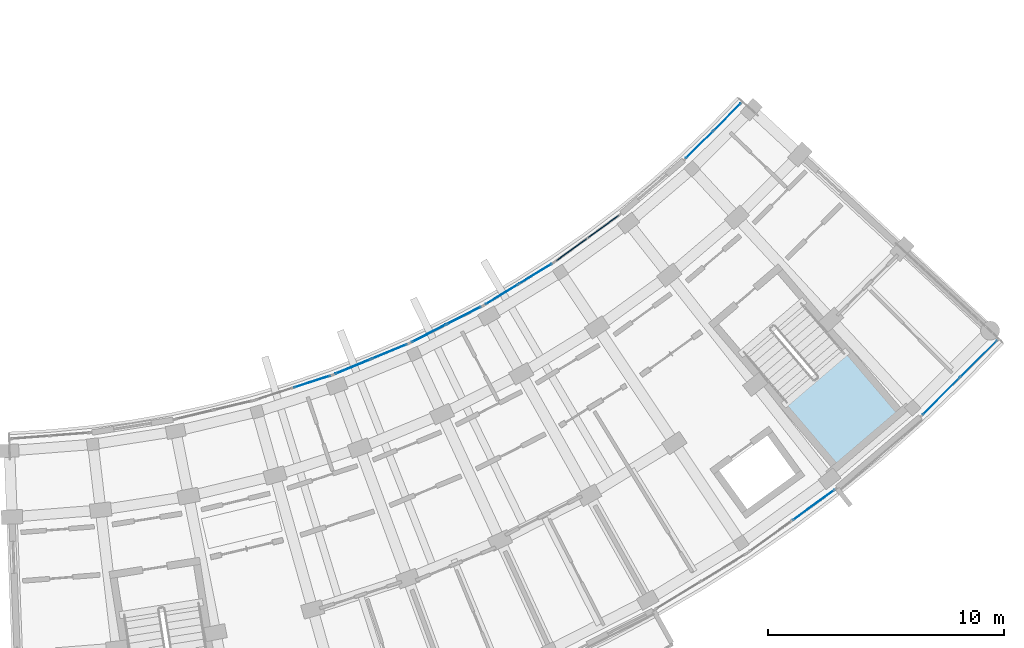
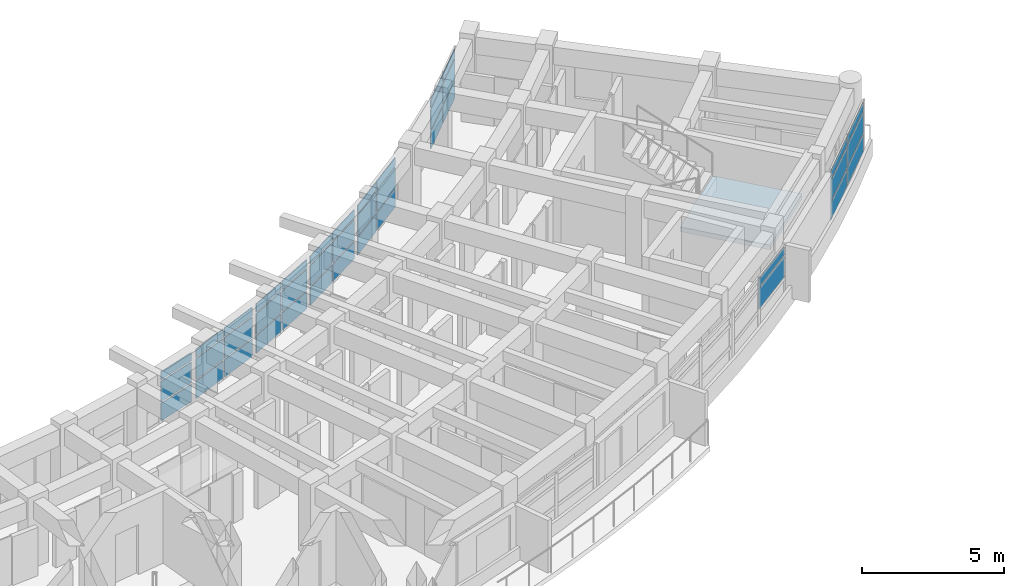
# One storey, part 38 of 70: 41 plates, 1 slab, 9 elements without a shape of their own.
"""IFC4 building model written with IfcOpenShell, lengths in metres."""

import ifcopenshell
import ifcopenshell.guid

model = None  # the IFC model being written
_history = None  # IfcOwnerHistory: only IFC2X3 demands one
_inside = {}  # id of a spatial element -> (the spatial element, [elements in it])
_under = {}  # id of a project, library or spatial element -> (it, [spatial elements below it])
_declared = {}  # id of a project -> (the project, [libraries it declares])
_typed = {}  # id of a type object -> (the type object, [elements of that type])
_made_of = {}  # id of a material, layer set ... -> (it, [elements and type objects made of it])


def new_model(schema):
    """Start an empty IFC model of exactly this schema.

    Asked for "IFC4X3", IfcOpenShell would pick the latest addendum, in which some entities
    have other attributes; the version numbers below select the first issue.
    IFC2X3 requires an IfcOwnerHistory on every rooted entity: one is made here for all.
    """
    global model, _history
    if schema == "IFC4X3":
        model = ifcopenshell.file(schema_version=(4, 3, 0, 0))
    else:
        model = ifcopenshell.file(schema=schema)
    _inside.clear()
    _under.clear()
    _declared.clear()
    _typed.clear()
    _made_of.clear()
    _history = None
    if model.schema == "IFC2X3":
        org = make("IfcOrganization", Name="unknown")
        user = make(
            "IfcPersonAndOrganization",
            ThePerson=make("IfcPerson", FamilyName="unknown"),
            TheOrganization=org,
        )
        app = make(
            "IfcApplication",
            ApplicationDeveloper=org,
            Version="unknown",
            ApplicationFullName="unknown",
            ApplicationIdentifier="unknown",
        )
        _history = make(
            "IfcOwnerHistory",
            OwningUser=user,
            OwningApplication=app,
            ChangeAction="ADDED",
            CreationDate=0,
        )
    return model


def make(cls, **values):
    """One entity of the class cls with the attributes given. An attribute that is None is left unset."""
    return model.create_entity(
        cls, **{name: value for name, value in values.items() if value is not None}
    )


def rooted(cls, **values):
    """An entity with a GlobalId (a new one), such as an element, a storey or a relation."""
    return make(cls, GlobalId=ifcopenshell.guid.new(), OwnerHistory=_history, **values)


def si_unit(unit_type, name, prefix=None):
    """IfcSIUnit, for example si_unit("LENGTHUNIT", "METRE", prefix="MILLI")."""
    return make("IfcSIUnit", UnitType=unit_type, Prefix=prefix, Name=name)


def assignment(units):
    """IfcUnitAssignment: the units of a project."""
    return None if units is None else make("IfcUnitAssignment", Units=units)


def point(xyz):
    """IfcCartesianPoint."""
    return None if xyz is None else make("IfcCartesianPoint", Coordinates=xyz)


def direction(xyz):
    """IfcDirection."""
    return None if xyz is None else make("IfcDirection", DirectionRatios=xyz)


def frame(location, z_axis=None, x_axis=None):
    """IfcAxis2Placement3D, a coordinate frame: its origin and axes. An axis left out is left unset."""
    return make(
        "IfcAxis2Placement3D",
        Location=point(location),
        Axis=direction(z_axis),
        RefDirection=direction(x_axis),
    )


def frame_2d(location, x_axis=None):
    """IfcAxis2Placement2D, a coordinate frame in the plane: its origin and x axis."""
    return make(
        "IfcAxis2Placement2D", Location=point(location), RefDirection=direction(x_axis)
    )


def origin():
    """The frame at (0, 0, 0) with its axes left unset."""
    return frame((0.0, 0.0, 0.0))


def origin_2d():
    """The frame at (0, 0) in the plane with its x axis left unset."""
    return frame_2d((0.0, 0.0))


def place(relative_to, where):
    """IfcLocalPlacement: puts the frame where relative to a parent placement (None: the world)."""
    return make(
        "IfcLocalPlacement", PlacementRelTo=relative_to, RelativePlacement=where
    )


def context(
    kind, dimensions, precision=None, world=None, true_north=None, identifier=None
):
    """IfcGeometricRepresentationContext, for example the 3D "Model" context."""
    return make(
        "IfcGeometricRepresentationContext",
        ContextIdentifier=identifier,
        ContextType=kind,
        CoordinateSpaceDimension=dimensions,
        Precision=precision,
        WorldCoordinateSystem=world,
        TrueNorth=true_north,
    )


def subcontext(parent, identifier, kind, view, scale=None):
    """IfcGeometricRepresentationSubContext, for example "Body" below "Model"."""
    return make(
        "IfcGeometricRepresentationSubContext",
        ContextIdentifier=identifier,
        ContextType=kind,
        ParentContext=parent,
        TargetScale=scale,
        TargetView=view,
    )


def project(units=None, contexts=None):
    """IfcProject with its units and contexts."""
    return rooted(
        "IfcProject",
        Name="project",
        RepresentationContexts=contexts,
        UnitsInContext=assignment(units),
    )


def spatial(cls, under=None, at=None, **own):
    """A site, building, storey or space (cls), placed at a placement, below another one or the project."""
    s = rooted(cls, ObjectPlacement=at, **own)
    if under is not None:
        _under.setdefault(under.id(), (under, []))[1].append(s)
    return s


def polyline(points):
    """IfcPolyline through the points."""
    return make("IfcPolyline", Points=[point(p) for p in points])


def profile(cls, at=None, kind="AREA", **sizes):
    """A parametric profile (cls). Its sizes go by their IFC names, for example OverallWidth=200.0."""
    return make(cls, ProfileType=kind, Position=at, **sizes)


def rectangle(**sizes):
    """IfcRectangleProfileDef."""
    return profile("IfcRectangleProfileDef", **sizes)


def outline(outer, holes=None, kind="AREA"):
    """IfcArbitraryClosedProfileDef: a profile drawn as a closed curve; with holes, ...WithVoids."""
    if holes is None:
        return make("IfcArbitraryClosedProfileDef", ProfileType=kind, OuterCurve=outer)
    return make(
        "IfcArbitraryProfileDefWithVoids",
        ProfileType=kind,
        OuterCurve=outer,
        InnerCurves=holes,
    )


def extrude(swept, where, along, depth):
    """IfcExtrudedAreaSolid: the profile swept, set in the frame where, extruded along a direction by depth."""
    return make(
        "IfcExtrudedAreaSolid",
        SweptArea=swept,
        Position=where,
        ExtrudedDirection=direction(along),
        Depth=depth,
    )


def shape(context_of_items, identifier, shape_type, items):
    """IfcShapeRepresentation: the items that make up one representation, for example the "Body"."""
    return make(
        "IfcShapeRepresentation",
        ContextOfItems=context_of_items,
        RepresentationIdentifier=identifier,
        RepresentationType=shape_type,
        Items=items,
    )


def material(Name=None, Category=None):
    """IfcMaterial."""
    return make("IfcMaterial", Name=Name, Category=Category)


def layer(
    of_material, thickness, ventilated=None, Name=None, Category=None, Priority=None
):
    """IfcMaterialLayer: one layer of a wall or slab, of a material (None: an air gap)."""
    return make(
        "IfcMaterialLayer",
        Material=of_material,
        LayerThickness=thickness,
        IsVentilated=ventilated,
        Name=Name,
        Category=Category,
        Priority=Priority,
    )


def layer_set(layers, Name=None):
    """IfcMaterialLayerSet."""
    return make("IfcMaterialLayerSet", MaterialLayers=layers, LayerSetName=Name)


def made_of(thing, what):
    """Note that an element or type object is made of a material, layer set ...; save() writes the relation."""
    if what is not None:
        _made_of.setdefault(what.id(), (what, []))[1].append(thing)
    return thing


def type_object(cls, material=None, **own):
    """A type object (cls), such as IfcWallType, which elements share."""
    return made_of(rooted(cls, **own), material)


def element(
    cls,
    number,
    at=None,
    inside=None,
    cuts=None,
    type_object=None,
    material=None,
    context=None,
    identifier="Body",
    shape_type=None,
    held_by="IfcProductDefinitionShape",
    body=None,
    shapes=None,
    **own,
):
    """One element of the class cls, such as IfcWall. Its Tag is "e" and its number.

    at: its placement. inside: the storey or other place that contains it. cuts: it is an
    opening in that element (IfcRelVoidsElement). A single representation is given by context,
    identifier, shape_type and body (its items); several are given by shapes. held_by: the class
    of the entity that holds the representations. save() writes the other relations.
    """
    e = rooted(cls, Tag="e%d" % number, ObjectPlacement=at, **own)
    if body is not None:
        shapes = [shape(context, identifier, shape_type, body)]
    if shapes is not None:
        e.Representation = make(held_by, Representations=shapes)
    if inside is not None:
        _inside.setdefault(inside.id(), (inside, []))[1].append(e)
    if cuts is not None:
        rooted(
            "IfcRelVoidsElement", RelatingBuildingElement=cuts, RelatedOpeningElement=e
        )
    if type_object is not None:
        _typed.setdefault(type_object.id(), (type_object, []))[1].append(e)
    return made_of(e, material)


def aggregate(whole, parts):
    """IfcRelAggregates: a whole, such as a stair, and the parts it consists of."""
    return rooted("IfcRelAggregates", RelatingObject=whole, RelatedObjects=parts)


def save(model, path):
    """Write the relations noted so far, then the file.

    IfcRelAggregates (storeys below a building ...), IfcRelContainedInSpatialStructure (elements
    in a storey), IfcRelDefinesByType, IfcRelAssociatesMaterial and IfcRelDeclares: one each for
    every whole, place, type object, material and project.
    """
    for whole, parts in _under.values():
        aggregate(whole, parts)
    for where, things in _inside.values():
        rooted(
            "IfcRelContainedInSpatialStructure",
            RelatedElements=things,
            RelatingStructure=where,
        )
    for kind, things in _typed.values():
        rooted("IfcRelDefinesByType", RelatedObjects=things, RelatingType=kind)
    for what, things in _made_of.values():
        rooted("IfcRelAssociatesMaterial", RelatedObjects=things, RelatingMaterial=what)
    for by, libraries in _declared.values():
        rooted("IfcRelDeclares", RelatingContext=by, RelatedDefinitions=libraries)
    model.write(path)


model = new_model("IFC4")

# Units and contexts
model_context = context("Model", 3, precision=1e-05, world=origin(), true_north=direction((0.0, 1.0)))
body_context = subcontext(model_context, "Body", "Model", "MODEL_VIEW")
ifc_project = project(units=[si_unit("LENGTHUNIT", "METRE"), si_unit("AREAUNIT", "SQUARE_METRE"), si_unit("VOLUMEUNIT", "CUBIC_METRE"), si_unit("PLANEANGLEUNIT", "RADIAN"), si_unit("MASSUNIT", "GRAM", prefix="KILO")], contexts=[model_context])

# Site, building, storey
site_placement = place(None, origin())
site = spatial("IfcSite", under=ifc_project, at=site_placement, CompositionType="ELEMENT")
building_placement = place(site_placement, origin())
building = spatial("IfcBuilding", under=site, at=building_placement, Name="Zimvara Arc Housing Community", CompositionType="ELEMENT")
storey_placement = place(building_placement, frame((0.0, 0.0, 8.10009765625)))
storey = spatial("IfcBuildingStorey", under=building, at=storey_placement, Name="L02", CompositionType="ELEMENT", Elevation=8.10009765625)

# Curtain wall, plates
ifc_material_1 = material(Name="Anodised Aluminium AW-6063", Category="aluminium")
curtain_wall_type_1 = type_object("IfcCurtainWallType", Name="CW-SYS-04", PredefinedType="USERDEFINED", material=ifc_material_1)
curtain_wall_1_placement = place(storey_placement, origin())
curtain_wall_1 = element("IfcCurtainWall", 1, at=curtain_wall_1_placement, inside=storey, type_object=curtain_wall_type_1, Name="cw:blkD:L02:in:b5", ObjectType="CURTAIN WALL", PredefinedType="USERDEFINED")
ifc_material_2 = material(Name="Pale-Gold Anodised Aluminium Spandrel Panel", Category="aluminium")
ifc_layer_1 = layer(ifc_material_2, 0.035888671875)
ifc_layer_set_1 = layer_set([ifc_layer_1], Name="Pale-Gold Anodised Aluminium Spandrel Panel")
plate_type_1 = type_object("IfcPlateType", Name="CWP-GLD-36", PredefinedType="CURTAIN_PANEL", material=ifc_layer_set_1)
plate_1_placement = place(storey_placement, frame((145.447265625, 69.740234375, 0.06494140625), z_axis=(0.0, 0.0, 1.0), x_axis=(0.89140306074, 0.453211411267, 0.0)))
plate_1 = element("IfcPlate", 2, at=plate_1_placement, type_object=plate_type_1, Name="CW04 panel 1.1", PredefinedType="CURTAIN_PANEL", context=body_context, shape_type="SweptSolid", body=[
    extrude(rectangle(XDim=1.59423828125, YDim=0.035888671875, at=origin_2d()), origin(), (0.0, 0.0, 1.0), 0.75244140625),
])
plate_2_placement = place(storey_placement, frame((145.447265625, 69.740234375, 0.88232421875), z_axis=(0.0, 0.0, 1.0), x_axis=(0.89140306074, 0.453211411267, 0.0)))
plate_2 = element("IfcPlate", 3, at=plate_2_placement, type_object=plate_type_1, Name="CW04 panel 1.2", PredefinedType="CURTAIN_PANEL", context=body_context, shape_type="SweptSolid", body=[
    extrude(rectangle(XDim=1.59423828125, YDim=0.035888671875, at=origin_2d()), origin(), (0.0, 0.0, 1.0), 0.885009765625),
])
plate_3_placement = place(storey_placement, frame((145.447265625, 69.740234375, 1.832275390625), z_axis=(0.0, 0.0, 1.0), x_axis=(0.89140306074, 0.453211411267, 0.0)))
plate_3 = element("IfcPlate", 4, at=plate_3_placement, type_object=plate_type_1, Name="CW04 panel 1.3", PredefinedType="CURTAIN_PANEL", context=body_context, shape_type="SweptSolid", body=[
    extrude(rectangle(XDim=1.59423828125, YDim=0.035888671875, at=origin_2d()), origin(), (0.0, 0.0, 1.0), 0.3525390625),
])
plate_4_placement = place(storey_placement, frame((146.92626953125, 70.4921875, 0.06494140625), z_axis=(0.0, 0.0, 1.0), x_axis=(0.89140306074, 0.453211411267, 0.0)))
plate_4 = element("IfcPlate", 5, at=plate_4_placement, type_object=plate_type_1, Name="CW04 panel 2.1", PredefinedType="CURTAIN_PANEL", context=body_context, shape_type="SweptSolid", body=[
    extrude(rectangle(XDim=1.59423828125, YDim=0.035888671875, at=origin_2d()), origin(), (0.0, 0.0, 1.0), 0.75244140625),
])
plate_5_placement = place(storey_placement, frame((146.92626953125, 70.4921875, 0.88232421875), z_axis=(0.0, 0.0, 1.0), x_axis=(0.89140306074, 0.453211411267, 0.0)))
plate_5 = element("IfcPlate", 6, at=plate_5_placement, type_object=plate_type_1, Name="CW04 panel 2.2", PredefinedType="CURTAIN_PANEL", context=body_context, shape_type="SweptSolid", body=[
    extrude(rectangle(XDim=1.59423828125, YDim=0.035888671875, at=origin_2d()), origin(), (0.0, 0.0, 1.0), 0.885009765625),
])
plate_6_placement = place(storey_placement, frame((146.92626953125, 70.4921875, 1.832275390625), z_axis=(0.0, 0.0, 1.0), x_axis=(0.89140306074, 0.453211411267, 0.0)))
plate_6 = element("IfcPlate", 7, at=plate_6_placement, type_object=plate_type_1, Name="CW04 panel 2.3", PredefinedType="CURTAIN_PANEL", context=body_context, shape_type="SweptSolid", body=[
    extrude(rectangle(XDim=1.59423828125, YDim=0.035888671875, at=origin_2d()), origin(), (0.0, 0.0, 1.0), 0.3525390625),
])
aggregate(curtain_wall_1, [plate_1, plate_2, plate_3, plate_4, plate_5, plate_6])

ifc_material_3 = material(Name="Anodised Aluminium AW-6063", Category="aluminium")
curtain_wall_type_2 = type_object("IfcCurtainWallType", Name="CW-SYS-08", PredefinedType="USERDEFINED", material=ifc_material_3)
curtain_wall_2_placement = place(storey_placement, origin())
curtain_wall_2 = element("IfcCurtainWall", 8, at=curtain_wall_2_placement, inside=storey, type_object=curtain_wall_type_2, Name="cw:blkD:L02:in:b7", ObjectType="CURTAIN WALL", PredefinedType="USERDEFINED")
plate_7_placement = place(storey_placement, frame((151.483642578125, 73.279541015625, 0.06494140625), z_axis=(0.0, 0.0, 1.0), x_axis=(0.809529396709, 0.587079343755, 0.0)))
plate_7 = element("IfcPlate", 9, at=plate_7_placement, type_object=plate_type_1, Name="CW08 panel 1.1", PredefinedType="CURTAIN_PANEL", context=body_context, shape_type="SweptSolid", body=[
    extrude(rectangle(XDim=1.59423828125, YDim=0.035888671875, at=origin_2d()), origin(), (0.0, 0.0, 1.0), 0.75244140625),
])
plate_8_placement = place(storey_placement, frame((151.483642578125, 73.279541015625, 0.88232421875), z_axis=(0.0, 0.0, 1.0), x_axis=(0.809529396709, 0.587079343755, 0.0)))
plate_8 = element("IfcPlate", 10, at=plate_8_placement, type_object=plate_type_1, Name="CW08 panel 1.2", PredefinedType="CURTAIN_PANEL", context=body_context, shape_type="SweptSolid", body=[
    extrude(rectangle(XDim=1.59423828125, YDim=0.035888671875, at=origin_2d()), origin(), (0.0, 0.0, 1.0), 0.885009765625),
])
plate_9_placement = place(storey_placement, frame((151.483642578125, 73.279541015625, 1.832275390625), z_axis=(0.0, 0.0, 1.0), x_axis=(0.809529396709, 0.587079343755, 0.0)))
plate_9 = element("IfcPlate", 11, at=plate_9_placement, type_object=plate_type_1, Name="CW08 panel 1.3", PredefinedType="CURTAIN_PANEL", context=body_context, shape_type="SweptSolid", body=[
    extrude(rectangle(XDim=1.59423828125, YDim=0.035888671875, at=origin_2d()), origin(), (0.0, 0.0, 1.0), 0.3525390625),
])
plate_10_placement = place(storey_placement, frame((152.826904296875, 74.253662109375, 0.06494140625), z_axis=(0.0, 0.0, 1.0), x_axis=(0.809529396709, 0.587079343755, 0.0)))
plate_10 = element("IfcPlate", 12, at=plate_10_placement, type_object=plate_type_1, Name="CW08 panel 2.1", PredefinedType="CURTAIN_PANEL", context=body_context, shape_type="SweptSolid", body=[
    extrude(rectangle(XDim=1.59423828125, YDim=0.035888671875, at=origin_2d()), origin(), (0.0, 0.0, 1.0), 0.75244140625),
])
plate_11_placement = place(storey_placement, frame((152.826904296875, 74.253662109375, 0.88232421875), z_axis=(0.0, 0.0, 1.0), x_axis=(0.809529396709, 0.587079343755, 0.0)))
plate_11 = element("IfcPlate", 13, at=plate_11_placement, type_object=plate_type_1, Name="CW08 panel 2.2", PredefinedType="CURTAIN_PANEL", context=body_context, shape_type="SweptSolid", body=[
    extrude(rectangle(XDim=1.59423828125, YDim=0.035888671875, at=origin_2d()), origin(), (0.0, 0.0, 1.0), 0.885009765625),
])
plate_12_placement = place(storey_placement, frame((152.826904296875, 74.253662109375, 1.832275390625), z_axis=(0.0, 0.0, 1.0), x_axis=(0.809529396709, 0.587079343755, 0.0)))
plate_12 = element("IfcPlate", 14, at=plate_12_placement, type_object=plate_type_1, Name="CW08 panel 2.3", PredefinedType="CURTAIN_PANEL", context=body_context, shape_type="SweptSolid", body=[
    extrude(rectangle(XDim=1.59423828125, YDim=0.035888671875, at=origin_2d()), origin(), (0.0, 0.0, 1.0), 0.3525390625),
])
aggregate(curtain_wall_2, [plate_7, plate_8, plate_9, plate_10, plate_11, plate_12])

ifc_material_4 = material(Name="Anodised Aluminium AW-6063", Category="aluminium")
curtain_wall_type_3 = type_object("IfcCurtainWallType", Name="CW-SYS-01", PredefinedType="USERDEFINED", material=ifc_material_4)
curtain_wall_3_placement = place(storey_placement, origin())
curtain_wall_3 = element("IfcCurtainWall", 15, at=curtain_wall_3_placement, inside=storey, type_object=curtain_wall_type_3, Name="cw:blkD:L02:in:b3", ObjectType="CURTAIN WALL", PredefinedType="USERDEFINED")
ifc_material_5 = material(Name="Solar Control Low-E Double Glazing", Category="glass")
ifc_layer_2 = layer(ifc_material_5, 0.02392578125)
ifc_layer_set_2 = layer_set([ifc_layer_2], Name="Solar Control Low-E Double Glazing")
plate_type_2 = type_object("IfcPlateType", Name="CWP-GLZ-24", PredefinedType="CURTAIN_PANEL", material=ifc_layer_set_2)
plate_13_placement = place(storey_placement, frame((140.510009765625, 67.7001953125, 0.06494140625), z_axis=(0.0, 0.0, 1.0), x_axis=(0.951326373008, 0.308185223559, 0.0)))
plate_13 = element("IfcPlate", 16, at=plate_13_placement, type_object=plate_type_2, Name="CW01 panel 2.1", PredefinedType="CURTAIN_PANEL", context=body_context, shape_type="SweptSolid", body=[
    extrude(rectangle(XDim=1.59423828125, YDim=0.02392578125, at=origin_2d()), origin(), (0.0, 0.0, 1.0), 0.75244140625),
])
plate_14_placement = place(storey_placement, frame((140.510009765625, 67.7001953125, 0.88232421875), z_axis=(0.0, 0.0, 1.0), x_axis=(0.951326373008, 0.308185223559, 0.0)))
plate_14 = element("IfcPlate", 17, at=plate_14_placement, type_object=plate_type_2, Name="CW01 panel 2.2", PredefinedType="CURTAIN_PANEL", context=body_context, shape_type="SweptSolid", body=[
    extrude(rectangle(XDim=1.59423828125, YDim=0.02392578125, at=origin_2d()), origin(), (0.0, 0.0, 1.0), 0.885009765625),
])
plate_15_placement = place(storey_placement, frame((140.510009765625, 67.7001953125, 1.832275390625), z_axis=(0.0, 0.0, 1.0), x_axis=(0.951326373008, 0.308185223559, 0.0)))
plate_15 = element("IfcPlate", 18, at=plate_15_placement, type_object=plate_type_2, Name="CW01 panel 2.3", PredefinedType="CURTAIN_PANEL", context=body_context, shape_type="SweptSolid", body=[
    extrude(rectangle(XDim=1.59423828125, YDim=0.02392578125, at=origin_2d()), origin(), (0.0, 0.0, 1.0), 0.3525390625),
])
aggregate(curtain_wall_3, [plate_13, plate_14, plate_15])

curtain_wall_4_placement = place(storey_placement, origin())
curtain_wall_4 = element("IfcCurtainWall", 19, at=curtain_wall_4_placement, inside=storey, type_object=curtain_wall_type_3, Name="cw:blkD:L02:out:b9", ObjectType="CURTAIN WALL", PredefinedType="USERDEFINED")
plate_16_placement = place(storey_placement, frame((167.106689453125, 67.076904296875, 0.06494140625), z_axis=(0.0, 0.0, 1.0), x_axis=(0.707724012233, 0.706489010891, 0.0)))
plate_16 = element("IfcPlate", 20, at=plate_16_placement, type_object=plate_type_2, Name="CW01 panel 1.1", PredefinedType="CURTAIN_PANEL", context=body_context, shape_type="SweptSolid", body=[
    extrude(rectangle(XDim=2.173828125, YDim=0.02392578125, at=origin_2d()), origin(), (0.0, 0.0, 1.0), 0.75244140625),
])
plate_17_placement = place(storey_placement, frame((167.106689453125, 67.076904296875, 0.88232421875), z_axis=(0.0, 0.0, 1.0), x_axis=(0.707724012233, 0.706489010891, 0.0)))
plate_17 = element("IfcPlate", 21, at=plate_17_placement, type_object=plate_type_2, Name="CW01 panel 1.2", PredefinedType="CURTAIN_PANEL", context=body_context, shape_type="SweptSolid", body=[
    extrude(rectangle(XDim=2.173828125, YDim=0.02392578125, at=origin_2d()), origin(), (0.0, 0.0, 1.0), 0.885009765625),
])
plate_18_placement = place(storey_placement, frame((167.106689453125, 67.076904296875, 1.832275390625), z_axis=(0.0, 0.0, 1.0), x_axis=(0.707724012233, 0.706489010891, 0.0)))
plate_18 = element("IfcPlate", 22, at=plate_18_placement, type_object=plate_type_2, Name="CW01 panel 1.3", PredefinedType="CURTAIN_PANEL", context=body_context, shape_type="SweptSolid", body=[
    extrude(rectangle(XDim=2.173828125, YDim=0.02392578125, at=origin_2d()), origin(), (0.0, 0.0, 1.0), 0.3525390625),
])
plate_19_placement = place(storey_placement, frame((168.691162109375, 68.65869140625, 0.06494140625), z_axis=(0.0, 0.0, 1.0), x_axis=(0.707724012233, 0.706489010891, 0.0)))
plate_19 = element("IfcPlate", 23, at=plate_19_placement, type_object=plate_type_2, Name="CW01 panel 2.1", PredefinedType="CURTAIN_PANEL", context=body_context, shape_type="SweptSolid", body=[
    extrude(rectangle(XDim=2.173828125, YDim=0.02392578125, at=origin_2d()), origin(), (0.0, 0.0, 1.0), 0.75244140625),
])
plate_20_placement = place(storey_placement, frame((168.691162109375, 68.65869140625, 0.88232421875), z_axis=(0.0, 0.0, 1.0), x_axis=(0.707724012233, 0.706489010891, 0.0)))
plate_20 = element("IfcPlate", 24, at=plate_20_placement, type_object=plate_type_2, Name="CW01 panel 2.2", PredefinedType="CURTAIN_PANEL", context=body_context, shape_type="SweptSolid", body=[
    extrude(rectangle(XDim=2.173828125, YDim=0.02392578125, at=origin_2d()), origin(), (0.0, 0.0, 1.0), 0.885009765625),
])
plate_21_placement = place(storey_placement, frame((168.691162109375, 68.65869140625, 1.832275390625), z_axis=(0.0, 0.0, 1.0), x_axis=(0.707724012233, 0.706489010891, 0.0)))
plate_21 = element("IfcPlate", 25, at=plate_21_placement, type_object=plate_type_2, Name="CW01 panel 2.3", PredefinedType="CURTAIN_PANEL", context=body_context, shape_type="SweptSolid", body=[
    extrude(rectangle(XDim=2.173828125, YDim=0.02392578125, at=origin_2d()), origin(), (0.0, 0.0, 1.0), 0.3525390625),
])
aggregate(curtain_wall_4, [plate_16, plate_17, plate_18, plate_19, plate_20, plate_21])

ifc_material_6 = material(Name="Anodised Aluminium AW-6063", Category="aluminium")
curtain_wall_type_4 = type_object("IfcCurtainWallType", Name="CW-SYS-06", PredefinedType="USERDEFINED", material=ifc_material_6)
curtain_wall_5_placement = place(storey_placement, origin())
curtain_wall_5 = element("IfcCurtainWall", 26, at=curtain_wall_5_placement, inside=storey, type_object=curtain_wall_type_4, Name="cw:blkD:L02:in:b6", ObjectType="CURTAIN WALL", PredefinedType="USERDEFINED")
ifc_material_7 = material(Name="Solar Control Low-E Double Glazing", Category="glass")
ifc_layer_3 = layer(ifc_material_7, 0.028076171875)
ifc_layer_set_3 = layer_set([ifc_layer_3], Name="Solar Control Low-E Double Glazing")
plate_type_3 = type_object("IfcPlateType", Name="CWP-GLZ-28", PredefinedType="CURTAIN_PANEL", material=ifc_layer_set_3)
plate_22_placement = place(storey_placement, frame((148.534912109375, 71.391357421875, 0.06494140625), z_axis=(0.0, 0.0, 1.0), x_axis=(0.853095849943, 0.521754224526, 0.0)))
plate_22 = element("IfcPlate", 27, at=plate_22_placement, type_object=plate_type_3, Name="CW06 panel 1.1", PredefinedType="CURTAIN_PANEL", context=body_context, shape_type="SweptSolid", body=[
    extrude(rectangle(XDim=1.59423828125, YDim=0.028076171875, at=origin_2d()), origin(), (0.0, 0.0, 1.0), 0.75244140625),
])
plate_23_placement = place(storey_placement, frame((148.534912109375, 71.391357421875, 0.88232421875), z_axis=(0.0, 0.0, 1.0), x_axis=(0.853095849943, 0.521754224526, 0.0)))
plate_23 = element("IfcPlate", 28, at=plate_23_placement, type_object=plate_type_3, Name="CW06 panel 1.2", PredefinedType="CURTAIN_PANEL", context=body_context, shape_type="SweptSolid", body=[
    extrude(rectangle(XDim=1.59423828125, YDim=0.028076171875, at=origin_2d()), origin(), (0.0, 0.0, 1.0), 0.885009765625),
])
plate_24_placement = place(storey_placement, frame((148.534912109375, 71.391357421875, 1.832275390625), z_axis=(0.0, 0.0, 1.0), x_axis=(0.853095849943, 0.521754224526, 0.0)))
plate_24 = element("IfcPlate", 29, at=plate_24_placement, type_object=plate_type_3, Name="CW06 panel 1.3", PredefinedType="CURTAIN_PANEL", context=body_context, shape_type="SweptSolid", body=[
    extrude(rectangle(XDim=1.59423828125, YDim=0.028076171875, at=origin_2d()), origin(), (0.0, 0.0, 1.0), 0.3525390625),
])
plate_25_placement = place(storey_placement, frame((149.950439453125, 72.257080078125, 0.06494140625), z_axis=(0.0, 0.0, 1.0), x_axis=(0.853095849943, 0.521754224526, 0.0)))
plate_25 = element("IfcPlate", 30, at=plate_25_placement, type_object=plate_type_3, Name="CW06 panel 2.1", PredefinedType="CURTAIN_PANEL", context=body_context, shape_type="SweptSolid", body=[
    extrude(rectangle(XDim=1.59423828125, YDim=0.028076171875, at=origin_2d()), origin(), (0.0, 0.0, 1.0), 0.75244140625),
])
plate_26_placement = place(storey_placement, frame((149.950439453125, 72.257080078125, 0.88232421875), z_axis=(0.0, 0.0, 1.0), x_axis=(0.853095849943, 0.521754224526, 0.0)))
plate_26 = element("IfcPlate", 31, at=plate_26_placement, type_object=plate_type_3, Name="CW06 panel 2.2", PredefinedType="CURTAIN_PANEL", context=body_context, shape_type="SweptSolid", body=[
    extrude(rectangle(XDim=1.59423828125, YDim=0.028076171875, at=origin_2d()), origin(), (0.0, 0.0, 1.0), 0.885009765625),
])
plate_27_placement = place(storey_placement, frame((149.950439453125, 72.257080078125, 1.832275390625), z_axis=(0.0, 0.0, 1.0), x_axis=(0.853095849943, 0.521754224526, 0.0)))
plate_27 = element("IfcPlate", 32, at=plate_27_placement, type_object=plate_type_3, Name="CW06 panel 2.3", PredefinedType="CURTAIN_PANEL", context=body_context, shape_type="SweptSolid", body=[
    extrude(rectangle(XDim=1.59423828125, YDim=0.028076171875, at=origin_2d()), origin(), (0.0, 0.0, 1.0), 0.3525390625),
])
aggregate(curtain_wall_5, [plate_22, plate_23, plate_24, plate_25, plate_26, plate_27])

ifc_material_8 = material(Name="Anodised Aluminium AW-6063", Category="aluminium")
curtain_wall_type_5 = type_object("IfcCurtainWallType", Name="CW-SYS-02", PredefinedType="USERDEFINED", material=ifc_material_8)
curtain_wall_6_placement = place(storey_placement, origin())
curtain_wall_6 = element("IfcCurtainWall", 33, at=curtain_wall_6_placement, inside=storey, type_object=curtain_wall_type_5, Name="cw:blkD:L02:in:b9", ObjectType="CURTAIN WALL", PredefinedType="USERDEFINED")
plate_28_placement = place(storey_placement, frame((156.89208984375, 77.719482421875, 0.06494140625), z_axis=(0.0, 0.0, 1.0), x_axis=(0.707722730729, 0.706490294632, 0.0)))
plate_28 = element("IfcPlate", 34, at=plate_28_placement, type_object=plate_type_3, Name="CW02 panel 1.1", PredefinedType="CURTAIN_PANEL", context=body_context, shape_type="SweptSolid", body=[
    extrude(rectangle(XDim=1.59423828125, YDim=0.028076171875, at=origin_2d()), origin(), (0.0, 0.0, 1.0), 0.75244140625),
])
plate_29_placement = place(storey_placement, frame((156.89208984375, 77.719482421875, 0.88232421875), z_axis=(0.0, 0.0, 1.0), x_axis=(0.707722730729, 0.706490294632, 0.0)))
plate_29 = element("IfcPlate", 35, at=plate_29_placement, type_object=plate_type_3, Name="CW02 panel 1.2", PredefinedType="CURTAIN_PANEL", context=body_context, shape_type="SweptSolid", body=[
    extrude(rectangle(XDim=1.59423828125, YDim=0.028076171875, at=origin_2d()), origin(), (0.0, 0.0, 1.0), 0.885009765625),
])
plate_30_placement = place(storey_placement, frame((156.89208984375, 77.719482421875, 1.832275390625), z_axis=(0.0, 0.0, 1.0), x_axis=(0.707722730729, 0.706490294632, 0.0)))
plate_30 = element("IfcPlate", 36, at=plate_30_placement, type_object=plate_type_3, Name="CW02 panel 1.3", PredefinedType="CURTAIN_PANEL", context=body_context, shape_type="SweptSolid", body=[
    extrude(rectangle(XDim=1.59423828125, YDim=0.028076171875, at=origin_2d()), origin(), (0.0, 0.0, 1.0), 0.3525390625),
])
plate_31_placement = place(storey_placement, frame((158.06640625, 78.891845703125, 0.06494140625), z_axis=(0.0, 0.0, 1.0), x_axis=(0.707722730729, 0.706490294632, 0.0)))
plate_31 = element("IfcPlate", 37, at=plate_31_placement, type_object=plate_type_3, Name="CW02 panel 2.1", PredefinedType="CURTAIN_PANEL", context=body_context, shape_type="SweptSolid", body=[
    extrude(rectangle(XDim=1.59423828125, YDim=0.028076171875, at=origin_2d()), origin(), (0.0, 0.0, 1.0), 0.75244140625),
])
plate_32_placement = place(storey_placement, frame((158.06640625, 78.891845703125, 0.88232421875), z_axis=(0.0, 0.0, 1.0), x_axis=(0.707722730729, 0.706490294632, 0.0)))
plate_32 = element("IfcPlate", 38, at=plate_32_placement, type_object=plate_type_3, Name="CW02 panel 2.2", PredefinedType="CURTAIN_PANEL", context=body_context, shape_type="SweptSolid", body=[
    extrude(rectangle(XDim=1.59423828125, YDim=0.028076171875, at=origin_2d()), origin(), (0.0, 0.0, 1.0), 0.885009765625),
])
plate_33_placement = place(storey_placement, frame((158.06640625, 78.891845703125, 1.832275390625), z_axis=(0.0, 0.0, 1.0), x_axis=(0.707722730729, 0.706490294632, 0.0)))
plate_33 = element("IfcPlate", 39, at=plate_33_placement, type_object=plate_type_3, Name="CW02 panel 2.3", PredefinedType="CURTAIN_PANEL", context=body_context, shape_type="SweptSolid", body=[
    extrude(rectangle(XDim=1.59423828125, YDim=0.028076171875, at=origin_2d()), origin(), (0.0, 0.0, 1.0), 0.3525390625),
])
aggregate(curtain_wall_6, [plate_28, plate_29, plate_30, plate_31, plate_32, plate_33])

ifc_material_9 = material(Name="Anodised Aluminium AW-6063", Category="aluminium")
curtain_wall_type_6 = type_object("IfcCurtainWallType", Name="CW-SYS-03", PredefinedType="USERDEFINED", material=ifc_material_9)
curtain_wall_7_placement = place(storey_placement, origin())
curtain_wall_7 = element("IfcCurtainWall", 40, at=curtain_wall_7_placement, inside=storey, type_object=curtain_wall_type_6, Name="cw:blkD:L02:in:b4", ObjectType="CURTAIN WALL", PredefinedType="USERDEFINED")
ifc_material_10 = material(Name="Acoustic Laminated Solar Glazing", Category="glass")
ifc_layer_4 = layer(ifc_material_10, 0.031982421875)
ifc_layer_set_4 = layer_set([ifc_layer_4], Name="Acoustic Laminated Solar Glazing")
plate_type_4 = type_object("IfcPlateType", Name="CWP-GLZ-32", PredefinedType="CURTAIN_PANEL", material=ifc_layer_set_4)
plate_34_placement = place(storey_placement, frame((142.239501953125, 68.336669921875, 0.06494140625), z_axis=(0.0, 0.0, 1.0), x_axis=(0.924213086235, 0.381877167728, 0.0)))
plate_34 = element("IfcPlate", 41, at=plate_34_placement, type_object=plate_type_4, Name="CW03 panel 1.1", PredefinedType="CURTAIN_PANEL", context=body_context, shape_type="SweptSolid", body=[
    extrude(rectangle(XDim=1.59423828125, YDim=0.031982421875, at=origin_2d()), origin(), (0.0, 0.0, 1.0), 0.75244140625),
])
plate_35_placement = place(storey_placement, frame((142.239501953125, 68.336669921875, 0.88232421875), z_axis=(0.0, 0.0, 1.0), x_axis=(0.924213086235, 0.381877167728, 0.0)))
plate_35 = element("IfcPlate", 42, at=plate_35_placement, type_object=plate_type_4, Name="CW03 panel 1.2", PredefinedType="CURTAIN_PANEL", context=body_context, shape_type="SweptSolid", body=[
    extrude(rectangle(XDim=1.59423828125, YDim=0.031982421875, at=origin_2d()), origin(), (0.0, 0.0, 1.0), 0.885009765625),
])
plate_36_placement = place(storey_placement, frame((142.239501953125, 68.336669921875, 1.832275390625), z_axis=(0.0, 0.0, 1.0), x_axis=(0.924213086235, 0.381877167728, 0.0)))
plate_36 = element("IfcPlate", 43, at=plate_36_placement, type_object=plate_type_4, Name="CW03 panel 1.3", PredefinedType="CURTAIN_PANEL", context=body_context, shape_type="SweptSolid", body=[
    extrude(rectangle(XDim=1.59423828125, YDim=0.031982421875, at=origin_2d()), origin(), (0.0, 0.0, 1.0), 0.3525390625),
])
plate_37_placement = place(storey_placement, frame((143.77294921875, 68.97021484375, 0.06494140625), z_axis=(0.0, 0.0, 1.0), x_axis=(0.924213086235, 0.381877167728, 0.0)))
plate_37 = element("IfcPlate", 44, at=plate_37_placement, type_object=plate_type_4, Name="CW03 panel 2.1", PredefinedType="CURTAIN_PANEL", context=body_context, shape_type="SweptSolid", body=[
    extrude(rectangle(XDim=1.59423828125, YDim=0.031982421875, at=origin_2d()), origin(), (0.0, 0.0, 1.0), 0.75244140625),
])
plate_38_placement = place(storey_placement, frame((143.77294921875, 68.97021484375, 0.88232421875), z_axis=(0.0, 0.0, 1.0), x_axis=(0.924213086235, 0.381877167728, 0.0)))
plate_38 = element("IfcPlate", 45, at=plate_38_placement, type_object=plate_type_4, Name="CW03 panel 2.2", PredefinedType="CURTAIN_PANEL", context=body_context, shape_type="SweptSolid", body=[
    extrude(rectangle(XDim=1.59423828125, YDim=0.031982421875, at=origin_2d()), origin(), (0.0, 0.0, 1.0), 0.885009765625),
])
plate_39_placement = place(storey_placement, frame((143.77294921875, 68.97021484375, 1.832275390625), z_axis=(0.0, 0.0, 1.0), x_axis=(0.924213086235, 0.381877167728, 0.0)))
plate_39 = element("IfcPlate", 46, at=plate_39_placement, type_object=plate_type_4, Name="CW03 panel 2.3", PredefinedType="CURTAIN_PANEL", context=body_context, shape_type="SweptSolid", body=[
    extrude(rectangle(XDim=1.59423828125, YDim=0.031982421875, at=origin_2d()), origin(), (0.0, 0.0, 1.0), 0.3525390625),
])
aggregate(curtain_wall_7, [plate_34, plate_35, plate_36, plate_37, plate_38, plate_39])

ifc_material_11 = material(Name="Anodised Aluminium AW-6063", Category="aluminium")
curtain_wall_type_7 = type_object("IfcCurtainWallType", Name="CW-SYS-07", PredefinedType="USERDEFINED", material=ifc_material_11)
curtain_wall_8_placement = place(storey_placement, origin())
curtain_wall_8 = element("IfcCurtainWall", 47, at=curtain_wall_8_placement, inside=storey, type_object=curtain_wall_type_7, Name="cw:blkD:L02:out:b7", ObjectType="CURTAIN WALL", PredefinedType="USERDEFINED")
plate_40_placement = place(storey_placement, frame((161.719970703125, 62.484375, 0.88232421875), z_axis=(0.0, 0.0, 1.0), x_axis=(0.809530431263, 0.587077917196, 0.0)))
plate_40 = element("IfcPlate", 48, at=plate_40_placement, type_object=plate_type_4, Name="CW07 panel 2.2", PredefinedType="CURTAIN_PANEL", context=body_context, shape_type="SweptSolid", body=[
    extrude(rectangle(XDim=2.173828125, YDim=0.031982421875, at=origin_2d()), origin(), (0.0, 0.0, 1.0), 0.885009765625),
])
plate_41_placement = place(storey_placement, frame((161.719970703125, 62.484375, 1.832275390625), z_axis=(0.0, 0.0, 1.0), x_axis=(0.809530431263, 0.587077917196, 0.0)))
plate_41 = element("IfcPlate", 49, at=plate_41_placement, type_object=plate_type_4, Name="CW07 panel 2.3", PredefinedType="CURTAIN_PANEL", context=body_context, shape_type="SweptSolid", body=[
    extrude(rectangle(XDim=2.173828125, YDim=0.031982421875, at=origin_2d()), origin(), (0.0, 0.0, 1.0), 0.3525390625),
])
aggregate(curtain_wall_8, [plate_40, plate_41])

# Stair, slab
ifc_material_12 = material(Name="Concrete C35/45", Category="concrete")
stair_type = type_object("IfcStairType", Name="STR-DL-312-310", PredefinedType="HALF_TURN_STAIR", material=ifc_material_12)
stair_placement = place(storey_placement, origin())
stair = element("IfcStair", 50, at=stair_placement, inside=storey, type_object=stair_type, Name="L02 Block D Exit Stair 2", PredefinedType="HALF_TURN_STAIR")
ifc_material_13 = material(Name="Concrete C35/45", Category="concrete")
ifc_layer_5 = layer(ifc_material_13, 0.199951171875)
ifc_layer_set_5 = layer_set([ifc_layer_5], Name="Concrete C35/45")
slab_type = type_object("IfcSlabType", Name="SLB-STAIR-LND-200", PredefinedType="LANDING", material=ifc_layer_set_5)
slab_placement = place(storey_placement, frame((0.0, 0.0, 1.349853515625)))
slab = element("IfcSlab", 51, at=slab_placement, type_object=slab_type, Name="ST-D2 landing 1", PredefinedType="LANDING", context=body_context, shape_type="SweptSolid", body=[
    extrude(outline(polyline([(160.49365234375, 66.788818359375), (162.681396484375, 64.22265625), (165.23828125, 66.402587890625), (163.050537109375, 68.96875), (160.49365234375, 66.788818359375)])), origin(), (0.0, 0.0, 1.0), 0.199951171875),
])
aggregate(stair, [slab])

save(model, "model.ifc")
